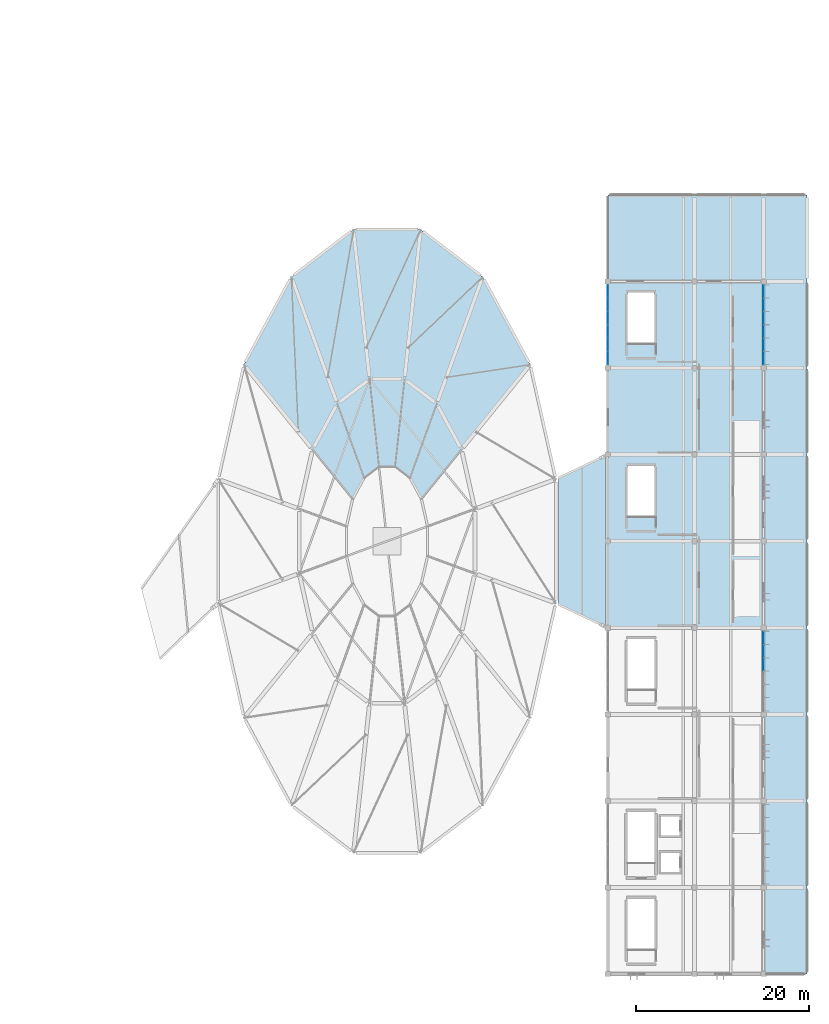
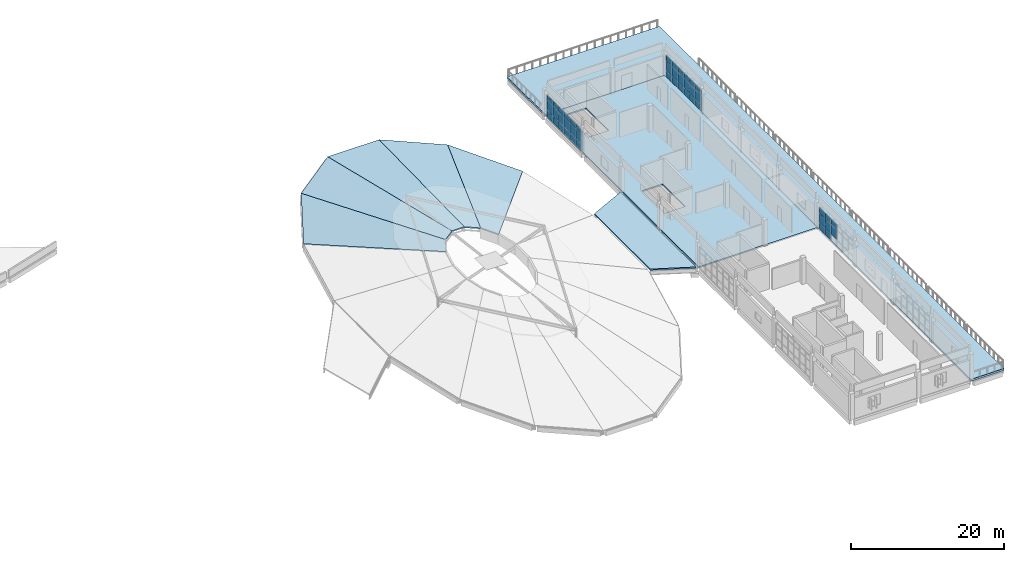
# One storey, part 17 of 39: 44 plates, 8 slabs, 3 elements without a shape of their own.
"""IFC4 building model written with IfcOpenShell, lengths in metres."""

from ifc_helpers import new_model, si_unit, direction, frame, origin, origin_2d, place, context, subcontext, project, spatial, polyline, rectangle, outline, extrude, material, layer, layer_set, type_object, element, aggregate, save


model = new_model("IFC4")

# Units and contexts
model_context = context("Model", 3, precision=1e-05, world=origin(), true_north=direction((0.0, 1.0)))
body_context = subcontext(model_context, "Body", "Model", "MODEL_VIEW")
ifc_project = project(units=[si_unit("LENGTHUNIT", "METRE"), si_unit("AREAUNIT", "SQUARE_METRE"), si_unit("VOLUMEUNIT", "CUBIC_METRE"), si_unit("PLANEANGLEUNIT", "RADIAN"), si_unit("MASSUNIT", "GRAM", prefix="KILO")], contexts=[model_context])

# Site, building, storey
site_placement = place(None, origin())
site = spatial("IfcSite", under=ifc_project, at=site_placement, CompositionType="ELEMENT")
building_placement = place(site_placement, origin())
building = spatial("IfcBuilding", under=site, at=building_placement, Name="Corvandel Quay Wholesale Market", CompositionType="ELEMENT")
storey_placement = place(building_placement, frame((0.0, 0.0, 15.0)))
storey = spatial("IfcBuildingStorey", under=building, at=storey_placement, Name="L03", CompositionType="ELEMENT", Elevation=15.0)

# Curtain wall, plates
ifc_material_1 = material(Name="Bronze anodised aluminium and low-E insulated glazing", Category="aluminium")
ifc_layer_1 = layer(ifc_material_1, 0.162109375)
ifc_layer_set_1 = layer_set([ifc_layer_1], Name="Bronze anodised aluminium and low-E insulated glazing")
curtain_wall_type_1 = type_object("IfcCurtainWallType", Name="Stick Curtain Wall System CW16 H4440", PredefinedType="NOTDEFINED", material=ifc_layer_set_1)
curtain_wall_1_placement = place(storey_placement, origin())
curtain_wall_1 = element("IfcCurtainWall", 1, at=curtain_wall_1_placement, inside=storey, type_object=curtain_wall_type_1, Name="Curtain Wall CW-0164", PredefinedType="NOTDEFINED")
ifc_material_2 = material(Name="Solar-control low-E insulated glazing", Category="glass")
ifc_layer_2 = layer(ifc_material_2, 0.0400390625)
ifc_layer_set_2 = layer_set([ifc_layer_2], Name="Solar-control low-E insulated glazing")
plate_type_1 = type_object("IfcPlateType", Name="Ceramic Fritted Spandrel Panel PN03 40mm", PredefinedType="CURTAIN_PANEL", material=ifc_layer_set_2)
plate_1_placement = place(storey_placement, frame((238.0, 45.7666015625, 2.6298828125), z_axis=(0.0, 0.0, 1.0), x_axis=(0.0, 1.0, 0.0)))
plate_1 = element("IfcPlate", 2, at=plate_1_placement, type_object=plate_type_1, Name="Glazing Panel CW-0164-P03-2", PredefinedType="CURTAIN_PANEL", context=body_context, shape_type="SweptSolid", body=[
    extrude(rectangle(XDim=1.46826171875, YDim=0.0400390625, at=origin_2d()), origin(), (0.0, 0.0, 1.0), 0.7900390625),
])
plate_2_placement = place(storey_placement, frame((238.0, 47.300048828125, 2.6298828125), z_axis=(0.0, 0.0, 1.0), x_axis=(0.0, 1.0, 0.0)))
plate_2 = element("IfcPlate", 3, at=plate_2_placement, type_object=plate_type_1, Name="Glazing Panel CW-0164-P04-2", PredefinedType="CURTAIN_PANEL", context=body_context, shape_type="SweptSolid", body=[
    extrude(rectangle(XDim=1.46826171875, YDim=0.0400390625, at=origin_2d()), origin(), (0.0, 0.0, 1.0), 0.7900390625),
])
plate_3_placement = place(storey_placement, frame((238.0, 48.833251953125, 2.6298828125), z_axis=(0.0, 0.0, 1.0), x_axis=(0.0, 1.0, 0.0)))
plate_3 = element("IfcPlate", 4, at=plate_3_placement, type_object=plate_type_1, Name="Glazing Panel CW-0164-P05-2", PredefinedType="CURTAIN_PANEL", context=body_context, shape_type="SweptSolid", body=[
    extrude(rectangle(XDim=1.46826171875, YDim=0.0400390625, at=origin_2d()), origin(), (0.0, 0.0, 1.0), 0.7900390625),
])

ifc_layer_3 = layer(ifc_material_1, 0.14990234375)
ifc_layer_set_3 = layer_set([ifc_layer_3], Name="Bronze anodised aluminium and low-E insulated glazing")
curtain_wall_type_2 = type_object("IfcCurtainWallType", Name="Stick Curtain Wall System CW20 H4800", PredefinedType="NOTDEFINED", material=ifc_layer_set_3)
curtain_wall_2_placement = place(storey_placement, origin())
curtain_wall_2 = element("IfcCurtainWall", 5, at=curtain_wall_2_placement, inside=storey, type_object=curtain_wall_type_2, Name="Curtain Wall CW-0166", PredefinedType="NOTDEFINED")
plate_4_placement = place(storey_placement, frame((238.0, 81.166748046875, 2.6298828125), z_axis=(0.0, 0.0, 1.0), x_axis=(0.0, 1.0, 0.0)))
plate_4 = element("IfcPlate", 6, at=plate_4_placement, type_object=plate_type_1, Name="Glazing Panel CW-0166-P00-2", PredefinedType="CURTAIN_PANEL", context=body_context, shape_type="SweptSolid", body=[
    extrude(rectangle(XDim=1.46826171875, YDim=0.0400390625, at=origin_2d()), origin(), (0.0, 0.0, 1.0), 0.7900390625),
])
plate_5_placement = place(storey_placement, frame((238.0, 82.699951171875, 2.6298828125), z_axis=(0.0, 0.0, 1.0), x_axis=(0.0, 1.0, 0.0)))
plate_5 = element("IfcPlate", 7, at=plate_5_placement, type_object=plate_type_1, Name="Glazing Panel CW-0166-P01-2", PredefinedType="CURTAIN_PANEL", context=body_context, shape_type="SweptSolid", body=[
    extrude(rectangle(XDim=1.46826171875, YDim=0.0400390625, at=origin_2d()), origin(), (0.0, 0.0, 1.0), 0.7900390625),
])
plate_6_placement = place(storey_placement, frame((238.0, 84.2333984375, 2.6298828125), z_axis=(0.0, 0.0, 1.0), x_axis=(0.0, 1.0, 0.0)))
plate_6 = element("IfcPlate", 8, at=plate_6_placement, type_object=plate_type_1, Name="Glazing Panel CW-0166-P02-2", PredefinedType="CURTAIN_PANEL", context=body_context, shape_type="SweptSolid", body=[
    extrude(rectangle(XDim=1.46826171875, YDim=0.0400390625, at=origin_2d()), origin(), (0.0, 0.0, 1.0), 0.7900390625),
])
plate_7_placement = place(storey_placement, frame((238.0, 85.7666015625, 2.6298828125), z_axis=(0.0, 0.0, 1.0), x_axis=(0.0, 1.0, 0.0)))
plate_7 = element("IfcPlate", 9, at=plate_7_placement, type_object=plate_type_1, Name="Glazing Panel CW-0166-P03-2", PredefinedType="CURTAIN_PANEL", context=body_context, shape_type="SweptSolid", body=[
    extrude(rectangle(XDim=1.46826171875, YDim=0.0400390625, at=origin_2d()), origin(), (0.0, 0.0, 1.0), 0.7900390625),
])
plate_8_placement = place(storey_placement, frame((238.0, 87.300048828125, 2.6298828125), z_axis=(0.0, 0.0, 1.0), x_axis=(0.0, 1.0, 0.0)))
plate_8 = element("IfcPlate", 10, at=plate_8_placement, type_object=plate_type_1, Name="Glazing Panel CW-0166-P04-2", PredefinedType="CURTAIN_PANEL", context=body_context, shape_type="SweptSolid", body=[
    extrude(rectangle(XDim=1.46826171875, YDim=0.0400390625, at=origin_2d()), origin(), (0.0, 0.0, 1.0), 0.7900390625),
])
plate_9_placement = place(storey_placement, frame((238.0, 88.833251953125, 2.6298828125), z_axis=(0.0, 0.0, 1.0), x_axis=(0.0, 1.0, 0.0)))
plate_9 = element("IfcPlate", 11, at=plate_9_placement, type_object=plate_type_1, Name="Glazing Panel CW-0166-P05-2", PredefinedType="CURTAIN_PANEL", context=body_context, shape_type="SweptSolid", body=[
    extrude(rectangle(XDim=1.46826171875, YDim=0.0400390625, at=origin_2d()), origin(), (0.0, 0.0, 1.0), 0.7900390625),
])

ifc_layer_4 = layer(ifc_material_1, 0.162109375)
ifc_layer_set_4 = layer_set([ifc_layer_4], Name="Bronze anodised aluminium and low-E insulated glazing")
curtain_wall_type_3 = type_object("IfcCurtainWallType", Name="Stick Curtain Wall System CW26 H5340", PredefinedType="NOTDEFINED", material=ifc_layer_set_4)
curtain_wall_3_placement = place(storey_placement, origin())
curtain_wall_3 = element("IfcCurtainWall", 12, at=curtain_wall_3_placement, inside=storey, type_object=curtain_wall_type_3, Name="Curtain Wall CW-0167", PredefinedType="NOTDEFINED")
plate_10_placement = place(storey_placement, frame((220.0, 81.166748046875, 2.6298828125), z_axis=(0.0, 0.0, 1.0), x_axis=(0.0, 1.0, 0.0)))
plate_10 = element("IfcPlate", 13, at=plate_10_placement, type_object=plate_type_1, Name="Glazing Panel CW-0167-P00-2", PredefinedType="CURTAIN_PANEL", context=body_context, shape_type="SweptSolid", body=[
    extrude(rectangle(XDim=1.46826171875, YDim=0.0400390625, at=origin_2d()), origin(), (0.0, 0.0, 1.0), 0.7900390625),
])
plate_11_placement = place(storey_placement, frame((220.0, 82.699951171875, 2.6298828125), z_axis=(0.0, 0.0, 1.0), x_axis=(0.0, 1.0, 0.0)))
plate_11 = element("IfcPlate", 14, at=plate_11_placement, type_object=plate_type_1, Name="Glazing Panel CW-0167-P01-2", PredefinedType="CURTAIN_PANEL", context=body_context, shape_type="SweptSolid", body=[
    extrude(rectangle(XDim=1.46826171875, YDim=0.0400390625, at=origin_2d()), origin(), (0.0, 0.0, 1.0), 0.7900390625),
])
plate_12_placement = place(storey_placement, frame((220.0, 84.2333984375, 2.6298828125), z_axis=(0.0, 0.0, 1.0), x_axis=(0.0, 1.0, 0.0)))
plate_12 = element("IfcPlate", 15, at=plate_12_placement, type_object=plate_type_1, Name="Glazing Panel CW-0167-P02-2", PredefinedType="CURTAIN_PANEL", context=body_context, shape_type="SweptSolid", body=[
    extrude(rectangle(XDim=1.46826171875, YDim=0.0400390625, at=origin_2d()), origin(), (0.0, 0.0, 1.0), 0.7900390625),
])
plate_13_placement = place(storey_placement, frame((220.0, 85.7666015625, 2.6298828125), z_axis=(0.0, 0.0, 1.0), x_axis=(0.0, 1.0, 0.0)))
plate_13 = element("IfcPlate", 16, at=plate_13_placement, type_object=plate_type_1, Name="Glazing Panel CW-0167-P03-2", PredefinedType="CURTAIN_PANEL", context=body_context, shape_type="SweptSolid", body=[
    extrude(rectangle(XDim=1.46826171875, YDim=0.0400390625, at=origin_2d()), origin(), (0.0, 0.0, 1.0), 0.7900390625),
])
plate_14_placement = place(storey_placement, frame((220.0, 87.300048828125, 2.6298828125), z_axis=(0.0, 0.0, 1.0), x_axis=(0.0, 1.0, 0.0)))
plate_14 = element("IfcPlate", 17, at=plate_14_placement, type_object=plate_type_1, Name="Glazing Panel CW-0167-P04-2", PredefinedType="CURTAIN_PANEL", context=body_context, shape_type="SweptSolid", body=[
    extrude(rectangle(XDim=1.46826171875, YDim=0.0400390625, at=origin_2d()), origin(), (0.0, 0.0, 1.0), 0.7900390625),
])
plate_15_placement = place(storey_placement, frame((220.0, 88.833251953125, 2.6298828125), z_axis=(0.0, 0.0, 1.0), x_axis=(0.0, 1.0, 0.0)))
plate_15 = element("IfcPlate", 18, at=plate_15_placement, type_object=plate_type_1, Name="Glazing Panel CW-0167-P05-2", PredefinedType="CURTAIN_PANEL", context=body_context, shape_type="SweptSolid", body=[
    extrude(rectangle(XDim=1.46826171875, YDim=0.0400390625, at=origin_2d()), origin(), (0.0, 0.0, 1.0), 0.7900390625),
])

# Slab
ifc_material_3 = material(Name="Precast concrete C45/55", Category="concrete")
ifc_layer_5 = layer(ifc_material_3, 0.219970703125)
ifc_layer_set_5 = layer_set([ifc_layer_5], Name="Precast concrete C45/55")
slab_type_1 = type_object("IfcSlabType", Name="Composite Precast Office Floor Slab 220", PredefinedType="FLOOR", material=ifc_layer_set_5)
slab_1_placement = place(storey_placement, frame((0.0, 0.0, -0.219970703125)))
element("IfcSlab", 19, at=slab_1_placement, inside=storey, type_object=slab_type_1, Name="Slab SLB-0470", PredefinedType="FLOOR", context=body_context, shape_type="SweptSolid", body=[
    extrude(outline(polyline([(220.0, 90.0), (238.0, 90.0), (238.0, 50.0), (220.0, 50.0), (220.0, 90.0)]), holes=[polyline([(222.300048828125, 68.699951171875), (222.300048828125, 62.800048828125), (225.39990234375, 62.800048828125), (225.39990234375, 68.699951171875), (222.300048828125, 68.699951171875)]), polyline([(222.300048828125, 88.699951171875), (222.300048828125, 82.800048828125), (225.39990234375, 82.800048828125), (225.39990234375, 88.699951171875), (222.300048828125, 88.699951171875)])]), origin(), (0.0, 0.0, 1.0), 0.219970703125),
])

# Plate
ifc_layer_6 = layer(ifc_material_2, 0.028076171875)
ifc_layer_set_6 = layer_set([ifc_layer_6], Name="Solar-control low-E insulated glazing")
plate_type_2 = type_object("IfcPlateType", Name="Double Low-E Vision Panel PN01 28mm", PredefinedType="CURTAIN_PANEL", material=ifc_layer_set_6)
plate_16_placement = place(storey_placement, frame((238.0, 45.7666015625, 1.080078125), z_axis=(0.0, 0.0, 1.0), x_axis=(0.0, 1.0, 0.0)))
plate_16 = element("IfcPlate", 20, at=plate_16_placement, type_object=plate_type_2, Name="Glazing Panel CW-0164-P03-1", PredefinedType="CURTAIN_PANEL", context=body_context, shape_type="SweptSolid", body=[
    extrude(rectangle(XDim=1.46826171875, YDim=0.028076171875, at=origin_2d()), origin(), (0.0, 0.0, 1.0), 1.489990234375),
])

plate_17_placement = place(storey_placement, frame((238.0, 47.300048828125, 0.02978515625), z_axis=(0.0, 0.0, 1.0), x_axis=(0.0, 1.0, 0.0)))
plate_17 = element("IfcPlate", 21, at=plate_17_placement, type_object=plate_type_2, Name="Glazing Panel CW-0164-P04-0", PredefinedType="CURTAIN_PANEL", context=body_context, shape_type="SweptSolid", body=[
    extrude(rectangle(XDim=1.46826171875, YDim=0.028076171875, at=origin_2d()), origin(), (0.0, 0.0, 1.0), 0.989990234375),
])

plate_18_placement = place(storey_placement, frame((238.0, 47.300048828125, 1.080078125), z_axis=(0.0, 0.0, 1.0), x_axis=(0.0, 1.0, 0.0)))
plate_18 = element("IfcPlate", 22, at=plate_18_placement, type_object=plate_type_2, Name="Glazing Panel CW-0164-P04-1", PredefinedType="CURTAIN_PANEL", context=body_context, shape_type="SweptSolid", body=[
    extrude(rectangle(XDim=1.46826171875, YDim=0.028076171875, at=origin_2d()), origin(), (0.0, 0.0, 1.0), 1.489990234375),
])

plate_19_placement = place(storey_placement, frame((238.0, 48.833251953125, 0.02978515625), z_axis=(0.0, 0.0, 1.0), x_axis=(0.0, 1.0, 0.0)))
plate_19 = element("IfcPlate", 23, at=plate_19_placement, type_object=plate_type_2, Name="Glazing Panel CW-0164-P05-0", PredefinedType="CURTAIN_PANEL", context=body_context, shape_type="SweptSolid", body=[
    extrude(rectangle(XDim=1.46826171875, YDim=0.028076171875, at=origin_2d()), origin(), (0.0, 0.0, 1.0), 0.989990234375),
])

plate_20_placement = place(storey_placement, frame((238.0, 48.833251953125, 1.080078125), z_axis=(0.0, 0.0, 1.0), x_axis=(0.0, 1.0, 0.0)))
plate_20 = element("IfcPlate", 24, at=plate_20_placement, type_object=plate_type_2, Name="Glazing Panel CW-0164-P05-1", PredefinedType="CURTAIN_PANEL", context=body_context, shape_type="SweptSolid", body=[
    extrude(rectangle(XDim=1.46826171875, YDim=0.028076171875, at=origin_2d()), origin(), (0.0, 0.0, 1.0), 1.489990234375),
])

aggregate(curtain_wall_1, [plate_16, plate_1, plate_17, plate_18, plate_2, plate_19, plate_20, plate_3])

plate_21_placement = place(storey_placement, frame((238.0, 81.166748046875, 0.02978515625), z_axis=(0.0, 0.0, 1.0), x_axis=(0.0, 1.0, 0.0)))
plate_21 = element("IfcPlate", 25, at=plate_21_placement, type_object=plate_type_2, Name="Glazing Panel CW-0166-P00-0", PredefinedType="CURTAIN_PANEL", context=body_context, shape_type="SweptSolid", body=[
    extrude(rectangle(XDim=1.46826171875, YDim=0.028076171875, at=origin_2d()), origin(), (0.0, 0.0, 1.0), 0.989990234375),
])

plate_22_placement = place(storey_placement, frame((238.0, 81.166748046875, 1.080078125), z_axis=(0.0, 0.0, 1.0), x_axis=(0.0, 1.0, 0.0)))
plate_22 = element("IfcPlate", 26, at=plate_22_placement, type_object=plate_type_2, Name="Glazing Panel CW-0166-P00-1", PredefinedType="CURTAIN_PANEL", context=body_context, shape_type="SweptSolid", body=[
    extrude(rectangle(XDim=1.46826171875, YDim=0.028076171875, at=origin_2d()), origin(), (0.0, 0.0, 1.0), 1.489990234375),
])

plate_23_placement = place(storey_placement, frame((238.0, 82.699951171875, 0.02978515625), z_axis=(0.0, 0.0, 1.0), x_axis=(0.0, 1.0, 0.0)))
plate_23 = element("IfcPlate", 27, at=plate_23_placement, type_object=plate_type_2, Name="Glazing Panel CW-0166-P01-0", PredefinedType="CURTAIN_PANEL", context=body_context, shape_type="SweptSolid", body=[
    extrude(rectangle(XDim=1.46826171875, YDim=0.028076171875, at=origin_2d()), origin(), (0.0, 0.0, 1.0), 0.989990234375),
])

plate_24_placement = place(storey_placement, frame((238.0, 82.699951171875, 1.080078125), z_axis=(0.0, 0.0, 1.0), x_axis=(0.0, 1.0, 0.0)))
plate_24 = element("IfcPlate", 28, at=plate_24_placement, type_object=plate_type_2, Name="Glazing Panel CW-0166-P01-1", PredefinedType="CURTAIN_PANEL", context=body_context, shape_type="SweptSolid", body=[
    extrude(rectangle(XDim=1.46826171875, YDim=0.028076171875, at=origin_2d()), origin(), (0.0, 0.0, 1.0), 1.489990234375),
])

plate_25_placement = place(storey_placement, frame((238.0, 84.2333984375, 0.02978515625), z_axis=(0.0, 0.0, 1.0), x_axis=(0.0, 1.0, 0.0)))
plate_25 = element("IfcPlate", 29, at=plate_25_placement, type_object=plate_type_2, Name="Glazing Panel CW-0166-P02-0", PredefinedType="CURTAIN_PANEL", context=body_context, shape_type="SweptSolid", body=[
    extrude(rectangle(XDim=1.46826171875, YDim=0.028076171875, at=origin_2d()), origin(), (0.0, 0.0, 1.0), 0.989990234375),
])

plate_26_placement = place(storey_placement, frame((238.0, 84.2333984375, 1.080078125), z_axis=(0.0, 0.0, 1.0), x_axis=(0.0, 1.0, 0.0)))
plate_26 = element("IfcPlate", 30, at=plate_26_placement, type_object=plate_type_2, Name="Glazing Panel CW-0166-P02-1", PredefinedType="CURTAIN_PANEL", context=body_context, shape_type="SweptSolid", body=[
    extrude(rectangle(XDim=1.46826171875, YDim=0.028076171875, at=origin_2d()), origin(), (0.0, 0.0, 1.0), 1.489990234375),
])

plate_27_placement = place(storey_placement, frame((238.0, 85.7666015625, 0.02978515625), z_axis=(0.0, 0.0, 1.0), x_axis=(0.0, 1.0, 0.0)))
plate_27 = element("IfcPlate", 31, at=plate_27_placement, type_object=plate_type_2, Name="Glazing Panel CW-0166-P03-0", PredefinedType="CURTAIN_PANEL", context=body_context, shape_type="SweptSolid", body=[
    extrude(rectangle(XDim=1.46826171875, YDim=0.028076171875, at=origin_2d()), origin(), (0.0, 0.0, 1.0), 0.989990234375),
])

plate_28_placement = place(storey_placement, frame((238.0, 85.7666015625, 1.080078125), z_axis=(0.0, 0.0, 1.0), x_axis=(0.0, 1.0, 0.0)))
plate_28 = element("IfcPlate", 32, at=plate_28_placement, type_object=plate_type_2, Name="Glazing Panel CW-0166-P03-1", PredefinedType="CURTAIN_PANEL", context=body_context, shape_type="SweptSolid", body=[
    extrude(rectangle(XDim=1.46826171875, YDim=0.028076171875, at=origin_2d()), origin(), (0.0, 0.0, 1.0), 1.489990234375),
])

plate_29_placement = place(storey_placement, frame((238.0, 87.300048828125, 0.02978515625), z_axis=(0.0, 0.0, 1.0), x_axis=(0.0, 1.0, 0.0)))
plate_29 = element("IfcPlate", 33, at=plate_29_placement, type_object=plate_type_2, Name="Glazing Panel CW-0166-P04-0", PredefinedType="CURTAIN_PANEL", context=body_context, shape_type="SweptSolid", body=[
    extrude(rectangle(XDim=1.46826171875, YDim=0.028076171875, at=origin_2d()), origin(), (0.0, 0.0, 1.0), 0.989990234375),
])

plate_30_placement = place(storey_placement, frame((238.0, 87.300048828125, 1.080078125), z_axis=(0.0, 0.0, 1.0), x_axis=(0.0, 1.0, 0.0)))
plate_30 = element("IfcPlate", 34, at=plate_30_placement, type_object=plate_type_2, Name="Glazing Panel CW-0166-P04-1", PredefinedType="CURTAIN_PANEL", context=body_context, shape_type="SweptSolid", body=[
    extrude(rectangle(XDim=1.46826171875, YDim=0.028076171875, at=origin_2d()), origin(), (0.0, 0.0, 1.0), 1.489990234375),
])

plate_31_placement = place(storey_placement, frame((238.0, 88.833251953125, 0.02978515625), z_axis=(0.0, 0.0, 1.0), x_axis=(0.0, 1.0, 0.0)))
plate_31 = element("IfcPlate", 35, at=plate_31_placement, type_object=plate_type_2, Name="Glazing Panel CW-0166-P05-0", PredefinedType="CURTAIN_PANEL", context=body_context, shape_type="SweptSolid", body=[
    extrude(rectangle(XDim=1.46826171875, YDim=0.028076171875, at=origin_2d()), origin(), (0.0, 0.0, 1.0), 0.989990234375),
])

plate_32_placement = place(storey_placement, frame((238.0, 88.833251953125, 1.080078125), z_axis=(0.0, 0.0, 1.0), x_axis=(0.0, 1.0, 0.0)))
plate_32 = element("IfcPlate", 36, at=plate_32_placement, type_object=plate_type_2, Name="Glazing Panel CW-0166-P05-1", PredefinedType="CURTAIN_PANEL", context=body_context, shape_type="SweptSolid", body=[
    extrude(rectangle(XDim=1.46826171875, YDim=0.028076171875, at=origin_2d()), origin(), (0.0, 0.0, 1.0), 1.489990234375),
])

aggregate(curtain_wall_2, [plate_21, plate_22, plate_4, plate_23, plate_24, plate_5, plate_25, plate_26, plate_6, plate_27, plate_28, plate_7, plate_29, plate_30, plate_8, plate_31, plate_32, plate_9])

plate_33_placement = place(storey_placement, frame((220.0, 81.166748046875, 0.02978515625), z_axis=(0.0, 0.0, 1.0), x_axis=(0.0, 1.0, 0.0)))
plate_33 = element("IfcPlate", 37, at=plate_33_placement, type_object=plate_type_2, Name="Glazing Panel CW-0167-P00-0", PredefinedType="CURTAIN_PANEL", context=body_context, shape_type="SweptSolid", body=[
    extrude(rectangle(XDim=1.46826171875, YDim=0.028076171875, at=origin_2d()), origin(), (0.0, 0.0, 1.0), 0.989990234375),
])

plate_34_placement = place(storey_placement, frame((220.0, 81.166748046875, 1.080078125), z_axis=(0.0, 0.0, 1.0), x_axis=(0.0, 1.0, 0.0)))
plate_34 = element("IfcPlate", 38, at=plate_34_placement, type_object=plate_type_2, Name="Glazing Panel CW-0167-P00-1", PredefinedType="CURTAIN_PANEL", context=body_context, shape_type="SweptSolid", body=[
    extrude(rectangle(XDim=1.46826171875, YDim=0.028076171875, at=origin_2d()), origin(), (0.0, 0.0, 1.0), 1.489990234375),
])

plate_35_placement = place(storey_placement, frame((220.0, 82.699951171875, 0.02978515625), z_axis=(0.0, 0.0, 1.0), x_axis=(0.0, 1.0, 0.0)))
plate_35 = element("IfcPlate", 39, at=plate_35_placement, type_object=plate_type_2, Name="Glazing Panel CW-0167-P01-0", PredefinedType="CURTAIN_PANEL", context=body_context, shape_type="SweptSolid", body=[
    extrude(rectangle(XDim=1.46826171875, YDim=0.028076171875, at=origin_2d()), origin(), (0.0, 0.0, 1.0), 0.989990234375),
])

plate_36_placement = place(storey_placement, frame((220.0, 82.699951171875, 1.080078125), z_axis=(0.0, 0.0, 1.0), x_axis=(0.0, 1.0, 0.0)))
plate_36 = element("IfcPlate", 40, at=plate_36_placement, type_object=plate_type_2, Name="Glazing Panel CW-0167-P01-1", PredefinedType="CURTAIN_PANEL", context=body_context, shape_type="SweptSolid", body=[
    extrude(rectangle(XDim=1.46826171875, YDim=0.028076171875, at=origin_2d()), origin(), (0.0, 0.0, 1.0), 1.489990234375),
])

plate_37_placement = place(storey_placement, frame((220.0, 84.2333984375, 0.02978515625), z_axis=(0.0, 0.0, 1.0), x_axis=(0.0, 1.0, 0.0)))
plate_37 = element("IfcPlate", 41, at=plate_37_placement, type_object=plate_type_2, Name="Glazing Panel CW-0167-P02-0", PredefinedType="CURTAIN_PANEL", context=body_context, shape_type="SweptSolid", body=[
    extrude(rectangle(XDim=1.46826171875, YDim=0.028076171875, at=origin_2d()), origin(), (0.0, 0.0, 1.0), 0.989990234375),
])

plate_38_placement = place(storey_placement, frame((220.0, 84.2333984375, 1.080078125), z_axis=(0.0, 0.0, 1.0), x_axis=(0.0, 1.0, 0.0)))
plate_38 = element("IfcPlate", 42, at=plate_38_placement, type_object=plate_type_2, Name="Glazing Panel CW-0167-P02-1", PredefinedType="CURTAIN_PANEL", context=body_context, shape_type="SweptSolid", body=[
    extrude(rectangle(XDim=1.46826171875, YDim=0.028076171875, at=origin_2d()), origin(), (0.0, 0.0, 1.0), 1.489990234375),
])

plate_39_placement = place(storey_placement, frame((220.0, 85.7666015625, 0.02978515625), z_axis=(0.0, 0.0, 1.0), x_axis=(0.0, 1.0, 0.0)))
plate_39 = element("IfcPlate", 43, at=plate_39_placement, type_object=plate_type_2, Name="Glazing Panel CW-0167-P03-0", PredefinedType="CURTAIN_PANEL", context=body_context, shape_type="SweptSolid", body=[
    extrude(rectangle(XDim=1.46826171875, YDim=0.028076171875, at=origin_2d()), origin(), (0.0, 0.0, 1.0), 0.989990234375),
])

plate_40_placement = place(storey_placement, frame((220.0, 85.7666015625, 1.080078125), z_axis=(0.0, 0.0, 1.0), x_axis=(0.0, 1.0, 0.0)))
plate_40 = element("IfcPlate", 44, at=plate_40_placement, type_object=plate_type_2, Name="Glazing Panel CW-0167-P03-1", PredefinedType="CURTAIN_PANEL", context=body_context, shape_type="SweptSolid", body=[
    extrude(rectangle(XDim=1.46826171875, YDim=0.028076171875, at=origin_2d()), origin(), (0.0, 0.0, 1.0), 1.489990234375),
])

plate_41_placement = place(storey_placement, frame((220.0, 87.300048828125, 0.02978515625), z_axis=(0.0, 0.0, 1.0), x_axis=(0.0, 1.0, 0.0)))
plate_41 = element("IfcPlate", 45, at=plate_41_placement, type_object=plate_type_2, Name="Glazing Panel CW-0167-P04-0", PredefinedType="CURTAIN_PANEL", context=body_context, shape_type="SweptSolid", body=[
    extrude(rectangle(XDim=1.46826171875, YDim=0.028076171875, at=origin_2d()), origin(), (0.0, 0.0, 1.0), 0.989990234375),
])

plate_42_placement = place(storey_placement, frame((220.0, 87.300048828125, 1.080078125), z_axis=(0.0, 0.0, 1.0), x_axis=(0.0, 1.0, 0.0)))
plate_42 = element("IfcPlate", 46, at=plate_42_placement, type_object=plate_type_2, Name="Glazing Panel CW-0167-P04-1", PredefinedType="CURTAIN_PANEL", context=body_context, shape_type="SweptSolid", body=[
    extrude(rectangle(XDim=1.46826171875, YDim=0.028076171875, at=origin_2d()), origin(), (0.0, 0.0, 1.0), 1.489990234375),
])

plate_43_placement = place(storey_placement, frame((220.0, 88.833251953125, 0.02978515625), z_axis=(0.0, 0.0, 1.0), x_axis=(0.0, 1.0, 0.0)))
plate_43 = element("IfcPlate", 47, at=plate_43_placement, type_object=plate_type_2, Name="Glazing Panel CW-0167-P05-0", PredefinedType="CURTAIN_PANEL", context=body_context, shape_type="SweptSolid", body=[
    extrude(rectangle(XDim=1.46826171875, YDim=0.028076171875, at=origin_2d()), origin(), (0.0, 0.0, 1.0), 0.989990234375),
])

plate_44_placement = place(storey_placement, frame((220.0, 88.833251953125, 1.080078125), z_axis=(0.0, 0.0, 1.0), x_axis=(0.0, 1.0, 0.0)))
plate_44 = element("IfcPlate", 48, at=plate_44_placement, type_object=plate_type_2, Name="Glazing Panel CW-0167-P05-1", PredefinedType="CURTAIN_PANEL", context=body_context, shape_type="SweptSolid", body=[
    extrude(rectangle(XDim=1.46826171875, YDim=0.028076171875, at=origin_2d()), origin(), (0.0, 0.0, 1.0), 1.489990234375),
])

aggregate(curtain_wall_3, [plate_33, plate_34, plate_10, plate_35, plate_36, plate_11, plate_37, plate_38, plate_12, plate_39, plate_40, plate_13, plate_41, plate_42, plate_14, plate_43, plate_44, plate_15])

# Slabs
ifc_layer_7 = layer(ifc_material_3, 0.199951171875)
ifc_layer_set_7 = layer_set([ifc_layer_7], Name="Precast concrete C45/55")
slab_type_2 = type_object("IfcSlabType", Name="Insulated Flat Precast Roof Slab 200", PredefinedType="ROOF", material=ifc_layer_set_7)
slab_2_placement = place(storey_placement, frame((0.0, 0.0, -0.199951171875)))
element("IfcSlab", 49, at=slab_2_placement, inside=storey, type_object=slab_type_2, Name="Slab SLB-0486", PredefinedType="ROOF", context=body_context, shape_type="SweptSolid", body=[
    extrude(outline(polyline([(214.284912109375, 52.7041015625), (219.715087890625, 50.135009765625), (219.715087890625, 69.864990234375), (214.284912109375, 67.2958984375), (214.284912109375, 52.7041015625)])), origin(), (0.0, 0.0, 1.0), 0.199951171875),
])
ifc_material_4 = material(Name="Concrete C40/50", Category="concrete")
ifc_layer_8 = layer(ifc_material_4, 0.159912109375)
ifc_layer_set_8 = layer_set([ifc_layer_8], Name="Concrete C40/50")
slab_type_3 = type_object("IfcSlabType", Name="Pitched Pavilion Roof Deck 160", PredefinedType="ROOF", material=ifc_layer_set_8)
slab_3_placement = place(storey_placement, frame((211.031005859375, 80.39208984375, -0.0400390625), z_axis=(0.174884476484, 0.094730083088, 0.9800212402), x_axis=(-0.476262312646, 0.879303252308, -5.698789e-06)))
element("IfcSlab", 50, at=slab_3_placement, inside=storey, type_object=slab_type_3, Name="Sloped Roof SLB-0390", PredefinedType="ROOF", context=body_context, shape_type="SweptSolid", body=[
    extrude(outline(polyline([(0.0, 0.0), (11.517012764643894, 0.0), (-4.879417483439536, 18.80390516037568), (-7.644226482453846, 18.803495949642144), (0.0, 0.0)])), origin(), (0.0, 0.0, -1.0), 0.159912109375),
])
slab_4_placement = place(storey_placement, frame((205.5458984375, 90.51904296875, -0.0400390625), z_axis=(0.095377214904, 0.124724313828, 0.987596593968), x_axis=(-0.79434136747, 0.607471638766, -4.471464e-06)))
element("IfcSlab", 51, at=slab_4_placement, inside=storey, type_object=slab_type_3, Name="Sloped Roof SLB-0394", PredefinedType="ROOF", context=body_context, shape_type="SweptSolid", body=[
    extrude(outline(polyline([(0.0, 0.0), (9.022564324648844, -8.881784197001252e-16), (-5.256224891110832, 23.8195272015289), (-7.421258382376355, 23.81920859696001), (0.0, 0.0)])), origin(), (0.0, 0.0, -1.0), 0.159912109375),
])
slab_5_placement = place(storey_placement, frame((198.37890625, 96.0, -0.0400390625), z_axis=(0.0, 0.135435527046, 0.990786161598), x_axis=(-1.0, 0.0, 0.0)))
element("IfcSlab", 52, at=slab_5_placement, inside=storey, type_object=slab_type_3, Name="Sloped Roof SLB-0398", PredefinedType="ROOF", context=body_context, shape_type="SweptSolid", body=[
    extrude(outline(polyline([(0.0, 0.0), (7.7578125, 0.0), (4.809814453125, 27.614543361963456), (2.947998046875, 27.614543361963456), (0.0, 0.0)])), origin(), (0.0, 0.0, -1.0), 0.159912109375),
])
slab_6_placement = place(storey_placement, frame((190.62109375, 96.0, -0.0400390625), z_axis=(-0.095377214904, 0.124724313828, 0.987596593968), x_axis=(-0.79434136747, -0.607471638766, 4.471464e-06)))
element("IfcSlab", 53, at=slab_6_placement, inside=storey, type_object=slab_type_3, Name="Sloped Roof SLB-0402", PredefinedType="ROOF", context=body_context, shape_type="SweptSolid", body=[
    extrude(outline(polyline([(0.0, 0.0), (9.022564324648844, 8.881784197001252e-16), (16.4438227070252, 23.81920859696001), (14.278789215759675, 23.819527201528903), (0.0, 0.0)])), origin(), (0.0, 0.0, -1.0), 0.159912109375),
])
slab_7_placement = place(storey_placement, frame((183.4541015625, 90.51904296875, -0.0400390625), z_axis=(-0.174884476484, 0.094730083088, 0.9800212402), x_axis=(-0.476262312646, -0.879303252308, 5.698789e-06)))
element("IfcSlab", 54, at=slab_7_placement, inside=storey, type_object=slab_type_3, Name="Sloped Roof SLB-0406", PredefinedType="ROOF", context=body_context, shape_type="SweptSolid", body=[
    extrude(outline(polyline([(0.0, 0.0), (11.517012764643894, 0.0), (19.16123924709774, 18.803495949642144), (16.39643024808343, 18.80390516037568), (0.0, 0.0)])), origin(), (0.0, 0.0, -1.0), 0.159912109375),
])
ifc_layer_9 = layer(ifc_material_4, 0.320068359375)
ifc_layer_set_9 = layer_set([ifc_layer_9], Name="Concrete C40/50")
slab_type_4 = type_object("IfcSlabType", Name="Planted Roof Garden Terrace Slab 320", PredefinedType="FLOOR", material=ifc_layer_set_9)
slab_8_placement = place(storey_placement, frame((0.0, 0.0, -0.320068359375)))
element("IfcSlab", 55, at=slab_8_placement, inside=storey, type_object=slab_type_4, Name="Slab SLB-0471", PredefinedType="FLOOR", context=body_context, shape_type="SweptSolid", body=[
    extrude(outline(polyline([(243.0, 10.0), (238.0, 10.0), (238.0, 90.0), (220.0, 90.0), (220.0, 100.0), (243.0, 100.0), (243.0, 10.0)])), origin(), (0.0, 0.0, 1.0), 0.320068359375),
])

save(model, "model.ifc")
